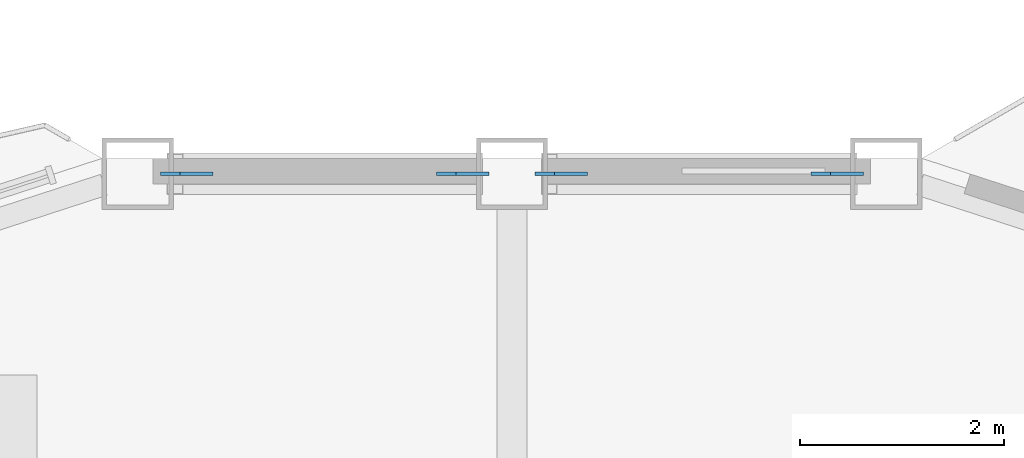
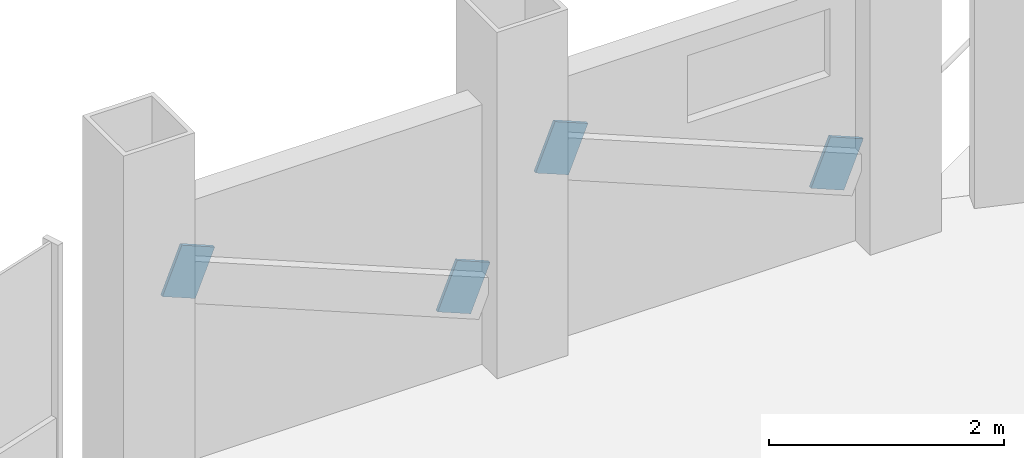
# One storey, part 18 of 23: 4 discrete accessories.
"""IFC4 building model written with IfcOpenShell, lengths in metres."""

from ifc_helpers import new_model, si_unit, direction, frame, origin, origin_2d, place, context, subcontext, project, spatial, rectangle, extrude, material, material_profile, profile_set, type_object, element, save


model = new_model("IFC4")

# Units and contexts
model_context = context("Model", 3, precision=1e-05, world=origin(), true_north=direction((0.0, 1.0)))
body_context = subcontext(model_context, "Body", "Model", "MODEL_VIEW")
ifc_project = project(units=[si_unit("LENGTHUNIT", "METRE"), si_unit("AREAUNIT", "SQUARE_METRE"), si_unit("VOLUMEUNIT", "CUBIC_METRE"), si_unit("PLANEANGLEUNIT", "RADIAN"), si_unit("MASSUNIT", "GRAM", prefix="KILO")], contexts=[model_context])

# Site, building, storey
site_placement = place(None, origin())
site = spatial("IfcSite", under=ifc_project, at=site_placement, CompositionType="ELEMENT")
building_placement = place(site_placement, origin())
building = spatial("IfcBuilding", under=site, at=building_placement, Name="Cormorant Prow Tower", CompositionType="ELEMENT")
storey_placement = place(building_placement, frame((0.0, 0.0, 259.800048828125)))
storey = spatial("IfcBuildingStorey", under=building, at=storey_placement, Name="L58", CompositionType="ELEMENT", Elevation=259.800048828125)

# Discrete accessories
ifc_material = material(Name="Structural steel ASTM A500 Gr C", Category="steel")
ifc_material_profile = material_profile(ifc_material, rectangle(XDim=0.031982421875, YDim=0.506103515625, at=origin_2d()), Name="Gusset plate 32x506")
ifc_profile_set = profile_set([ifc_material_profile], Name="Structural steel ASTM A500 Gr C")
discrete_accessory_type = type_object("IfcDiscreteAccessoryType", Name="Gusset plate 32x506", PredefinedType="BRACKET", material=ifc_profile_set)
discrete_accessory_1_placement = place(storey_placement, frame((3.027099609375, 32.073486328125, 0.863037109375), z_axis=(0.925513623242, 0.0, -0.378714316067), x_axis=(0.0, 1.0, 0.0)))
element("IfcDiscreteAccessory", 1, at=discrete_accessory_1_placement, inside=storey, type_object=discrete_accessory_type, Name="Gusset plate GP2 L58.N00.g0", PredefinedType="BRACKET", context=body_context, shape_type="SweptSolid", body=[
    extrude(rectangle(XDim=0.031982421875, YDim=0.506103515625, at=origin_2d()), origin(), (0.0, 0.0, 1.0), 0.35009765625),
])
discrete_accessory_2_placement = place(storey_placement, frame((0.643310546875, 32.073486328125, 1.837890625), z_axis=(-0.925757954086, 0.0, 0.378116662483), x_axis=(0.0, -1.0, 0.0)))
element("IfcDiscreteAccessory", 2, at=discrete_accessory_2_placement, inside=storey, type_object=discrete_accessory_type, Name="Gusset plate GP2 L58.N00.g1", PredefinedType="BRACKET", context=body_context, shape_type="SweptSolid", body=[
    extrude(rectangle(XDim=0.031982421875, YDim=0.506103515625, at=origin_2d()), origin(), (0.0, 0.0, 1.0), 0.349853515625),
])
discrete_accessory_3_placement = place(storey_placement, frame((-0.643310546875, 32.073486328125, 0.863037109375), z_axis=(0.925513623242, 0.0, -0.378714316067), x_axis=(0.0, 1.0, 0.0)))
element("IfcDiscreteAccessory", 3, at=discrete_accessory_3_placement, inside=storey, type_object=discrete_accessory_type, Name="Gusset plate GP2 L58.N01.g0", PredefinedType="BRACKET", context=body_context, shape_type="SweptSolid", body=[
    extrude(rectangle(XDim=0.031982421875, YDim=0.506103515625, at=origin_2d()), origin(), (0.0, 0.0, 1.0), 0.35009765625),
])
discrete_accessory_4_placement = place(storey_placement, frame((-3.027099609375, 32.073486328125, 1.837890625), z_axis=(-0.925757954086, 0.0, 0.378116662483), x_axis=(0.0, -1.0, 0.0)))
element("IfcDiscreteAccessory", 4, at=discrete_accessory_4_placement, inside=storey, type_object=discrete_accessory_type, Name="Gusset plate GP2 L58.N01.g1", PredefinedType="BRACKET", context=body_context, shape_type="SweptSolid", body=[
    extrude(rectangle(XDim=0.031982421875, YDim=0.506103515625, at=origin_2d()), origin(), (0.0, 0.0, 1.0), 0.349853515625),
])

save(model, "model.ifc")
